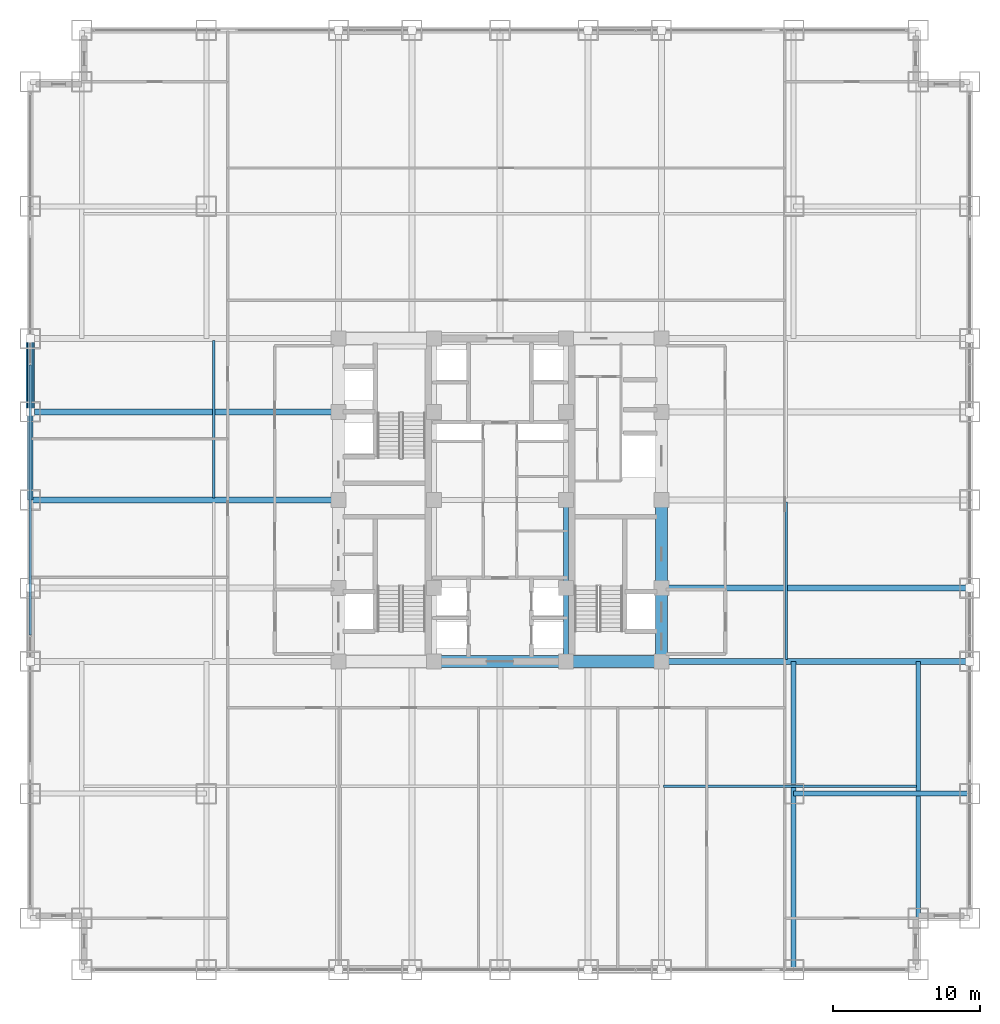
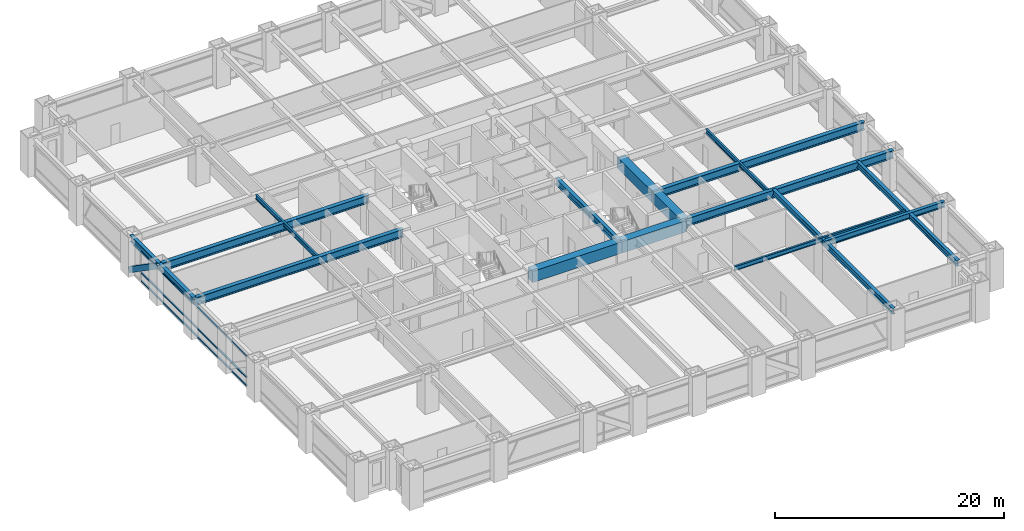
# One storey, part 11 of 27: 18 beams, 4 members, 1 element without a shape of its own.
"""IFC4 building model written with IfcOpenShell, lengths in metres."""

from ifc_helpers import new_model, si_unit, direction, frame, origin, origin_2d, place, context, subcontext, project, spatial, rectangle, hollow_rectangle, i_section, extrude, source, transform, mapped, material, material_profile, profile_set, type_object, element, aggregate, save


model = new_model("IFC4")

# Units and contexts
model_context = context("Model", 3, precision=1e-05, world=origin(), true_north=direction((0.0, 1.0)))
body_context = subcontext(model_context, "Body", "Model", "MODEL_VIEW")
ifc_project = project(units=[si_unit("LENGTHUNIT", "METRE"), si_unit("AREAUNIT", "SQUARE_METRE"), si_unit("VOLUMEUNIT", "CUBIC_METRE"), si_unit("PLANEANGLEUNIT", "RADIAN"), si_unit("MASSUNIT", "GRAM", prefix="KILO")], contexts=[model_context])

# Site, building, storey
site_placement = place(None, origin())
site = spatial("IfcSite", under=ifc_project, at=site_placement, CompositionType="ELEMENT")
building_placement = place(site_placement, origin())
building = spatial("IfcBuilding", under=site, at=building_placement, Name="Khorayat Bourse Tower", CompositionType="ELEMENT")
storey_placement = place(building_placement, frame((0.0, 0.0, 45.199951171875)))
storey = spatial("IfcBuildingStorey", under=building, at=storey_placement, Name="L09", CompositionType="ELEMENT", Elevation=45.199951171875)

# Beams
ifc_material_1 = material(Name="Concrete C72/90", Category="concrete")
ifc_material_profile_1 = material_profile(ifc_material_1, rectangle(XDim=0.800048828125, YDim=1.199951171875, at=origin_2d()), Name="RC 800x1200")
ifc_profile_set_1 = profile_set([ifc_material_profile_1], Name="Concrete C72/90")
beam_type_1 = type_object("IfcBeamType", Name="BM-COUP-1200", PredefinedType="BEAM", material=ifc_profile_set_1)
shared_shape_1 = source(origin(), body_context, "Body", "SweptSolid", [
    extrude(rectangle(XDim=0.800048828125, YDim=1.199951171875, at=origin_2d()), origin(), (0.0, 0.0, 1.0), 5.0),
])
beam_1_placement = place(storey_placement, frame((11.0, -11.0, 3.340087890625), z_axis=(0.0, 1.0, 0.0), x_axis=(-1.0, 0.0, 0.0)))
element("IfcBeam", 1, at=beam_1_placement, inside=storey, type_object=beam_type_1, Name="L09 BM-COUP-1200 BM-L09-CRX-13", PredefinedType="BEAM", context=body_context, shape_type="MappedRepresentation", body=[
    mapped(shared_shape_1, transform((0.0, 0.0, 0.0), scale=1.0)),
])
shared_shape_2 = source(origin(), body_context, "Body", "SweptSolid", [
    extrude(rectangle(XDim=0.800048828125, YDim=1.199951171875, at=origin_2d()), origin(), (0.0, 0.0, 1.0), 6.0),
])
beam_2_placement = place(storey_placement, frame((11.0, -6.0, 3.340087890625), z_axis=(0.0, 1.0, 0.0), x_axis=(-1.0, 0.0, 0.0)))
element("IfcBeam", 2, at=beam_2_placement, inside=storey, type_object=beam_type_1, Name="L09 BM-COUP-1200 BM-L09-CRX-14", PredefinedType="BEAM", context=body_context, shape_type="MappedRepresentation", body=[
    mapped(shared_shape_2, transform((0.0, 0.0, 0.0), scale=1.0)),
])
ifc_material_2 = material(Name="Steel ASTM A992 Grade 50", Category="steel")
ifc_material_profile_2 = material_profile(ifc_material_2, i_section(OverallWidth=0.35498046875, OverallDepth=0.695068359375, WebThickness=0.015380859375, FlangeThickness=0.02490234375, FilletRadius=0.01806640625, at=origin_2d()), Name="W690X217")
ifc_profile_set_2 = profile_set([ifc_material_profile_2], Name="Steel ASTM A992 Grade 50")
beam_type_2 = type_object("IfcBeamType", Name="BM-GIRD-690", PredefinedType="BEAM", material=ifc_profile_set_2)
shared_shape_3 = source(origin(), body_context, "Body", "SweptSolid", [
    extrude(i_section(OverallWidth=0.35498046875, OverallDepth=0.695068359375, WebThickness=0.015380859375, FlangeThickness=0.02490234375, FilletRadius=0.01806640625, at=origin_2d()), origin(), (0.0, 0.0, 1.0), 5.0),
])
beam_3_placement = place(storey_placement, frame((4.5, -11.0, 3.592529296875), z_axis=(0.0, 1.0, 0.0), x_axis=(-1.0, 0.0, 0.0)))
element("IfcBeam", 3, at=beam_3_placement, inside=storey, type_object=beam_type_2, Name="L09 BM-GIRD-690 BM-L09-CRX-09", PredefinedType="BEAM", context=body_context, shape_type="MappedRepresentation", body=[
    mapped(shared_shape_3, transform((0.0, 0.0, 0.0), scale=1.0)),
])
shared_shape_4 = source(origin(), body_context, "Body", "SweptSolid", [
    extrude(i_section(OverallWidth=0.35498046875, OverallDepth=0.695068359375, WebThickness=0.015380859375, FlangeThickness=0.02490234375, FilletRadius=0.01806640625, at=origin_2d()), origin(), (0.0, 0.0, 1.0), 6.0),
])
beam_4_placement = place(storey_placement, frame((4.5, -6.0, 3.592529296875), z_axis=(0.0, 1.0, 0.0), x_axis=(-1.0, 0.0, 0.0)))
element("IfcBeam", 4, at=beam_4_placement, inside=storey, type_object=beam_type_2, Name="L09 BM-GIRD-690 BM-L09-CRX-10", PredefinedType="BEAM", context=body_context, shape_type="MappedRepresentation", body=[
    mapped(shared_shape_4, transform((0.0, 0.0, 0.0), scale=1.0)),
])
shared_shape_5 = source(origin(), body_context, "Body", "SweptSolid", [
    extrude(rectangle(XDim=0.800048828125, YDim=1.199951171875, at=origin_2d()), origin(), (0.0, 0.0, 1.0), 6.5),
])
beam_5_placement = place(storey_placement, frame((4.5, -11.0, 3.340087890625), z_axis=(1.0, 0.0, 0.0), x_axis=(0.0, 1.0, 0.0)))
element("IfcBeam", 5, at=beam_5_placement, inside=storey, type_object=beam_type_1, Name="L09 BM-COUP-1200 BM-L09-CRY-19", PredefinedType="BEAM", context=body_context, shape_type="MappedRepresentation", body=[
    mapped(shared_shape_5, transform((0.0, 0.0, 0.0), scale=1.0)),
])
shared_shape_6 = source(origin(), body_context, "Body", "SweptSolid", [
    extrude(rectangle(XDim=0.800048828125, YDim=1.199951171875, at=origin_2d()), origin(), (0.0, 0.0, 1.0), 9.0),
])
beam_6_placement = place(storey_placement, frame((-4.5, -11.0, 3.340087890625), z_axis=(1.0, 0.0, 0.0), x_axis=(0.0, 1.0, 0.0)))
element("IfcBeam", 6, at=beam_6_placement, inside=storey, type_object=beam_type_1, Name="L09 BM-COUP-1200 BM-L09-CRY-18", PredefinedType="BEAM", context=body_context, shape_type="MappedRepresentation", body=[
    mapped(shared_shape_6, transform((0.0, 0.0, 0.0), scale=1.0)),
])
ifc_material_profile_3 = material_profile(ifc_material_2, i_section(OverallWidth=0.35498046875, OverallDepth=0.695068359375, WebThickness=0.015380859375, FlangeThickness=0.02490234375, FilletRadius=0.01806640625, at=origin_2d()), Name="W690X217")
ifc_profile_set_3 = profile_set([ifc_material_profile_3], Name="Steel ASTM A992 Grade 50")
beam_type_3 = type_object("IfcBeamType", Name="BM-SPAN-690", PredefinedType="SPANDREL", material=ifc_profile_set_3)
shared_shape_7 = source(origin(), body_context, "Body", "SweptSolid", [
    extrude(i_section(OverallWidth=0.35498046875, OverallDepth=0.695068359375, WebThickness=0.015380859375, FlangeThickness=0.02490234375, FilletRadius=0.01806640625, at=origin_2d()), origin(), (0.0, 0.0, 1.0), 5.0),
])
beam_7_placement = place(storey_placement, frame((-32.0, 6.0, 3.592529296875), z_axis=(0.0, 1.0, 0.0), x_axis=(-1.0, 0.0, 0.0)))
element("IfcBeam", 7, at=beam_7_placement, inside=storey, type_object=beam_type_3, Name="L09 BM-SPAN-690 BM-L09-SPN-056", PredefinedType="SPANDREL", context=body_context, shape_type="MappedRepresentation", body=[
    mapped(shared_shape_7, transform((0.0, 0.0, 0.0), scale=1.0)),
])
shared_shape_8 = source(origin(), body_context, "Body", "SweptSolid", [
    extrude(i_section(OverallWidth=0.35498046875, OverallDepth=0.695068359375, WebThickness=0.015380859375, FlangeThickness=0.02490234375, FilletRadius=0.01806640625, at=origin_2d()), origin(), (0.0, 0.0, 1.0), 6.0),
])
beam_8_placement = place(storey_placement, frame((-32.0, 0.0, 3.592529296875), z_axis=(0.0, 1.0, 0.0), x_axis=(-1.0, 0.0, 0.0)))
element("IfcBeam", 8, at=beam_8_placement, inside=storey, type_object=beam_type_3, Name="L09 BM-SPAN-690 BM-L09-SPN-057", PredefinedType="SPANDREL", context=body_context, shape_type="MappedRepresentation", body=[
    mapped(shared_shape_8, transform((0.0, 0.0, 0.0), scale=1.0)),
])
ifc_material_profile_4 = material_profile(ifc_material_2, i_section(OverallWidth=0.39990234375, OverallDepth=0.85498046875, WebThickness=0.018310546875, FlangeThickness=0.029296875, FilletRadius=0.02001953125, at=origin_2d()), Name="W840X299")
ifc_profile_set_4 = profile_set([ifc_material_profile_4], Name="Steel ASTM A992 Grade 50")
beam_type_4 = type_object("IfcBeamType", Name="BM-GIRD-840", PredefinedType="BEAM", material=ifc_profile_set_4)
shared_shape_9 = source(origin(), body_context, "Body", "SweptSolid", [
    extrude(i_section(OverallWidth=0.39990234375, OverallDepth=0.85498046875, WebThickness=0.018310546875, FlangeThickness=0.029296875, FilletRadius=0.02001953125, at=origin_2d()), origin(), (0.0, 0.0, 1.0), 21.0),
])
for number, where, z_axis, x_axis, name in (
    (9, (11.0, -11.0, 3.512451171875), (1.0, 0.0, 0.0), (0.0, 1.0, 0.0), "L09 BM-GIRD-840 BM-L09-RADX-074"),
    (10, (11.0, -6.0, 3.512451171875), (1.0, 0.0, 0.0), (0.0, 1.0, 0.0), "L09 BM-GIRD-840 BM-L09-RADX-076"),
    (11, (-32.0, 0.0, 3.512451171875), (1.0, 0.0, 0.0), (0.0, 1.0, 0.0), "L09 BM-GIRD-840 BM-L09-RADX-079"),
    (12, (-32.0, 6.0, 3.512451171875), (1.0, 0.0, 0.0), (0.0, 1.0, 0.0), "L09 BM-GIRD-840 BM-L09-RADX-081"),
):
    element("IfcBeam", number, at=place(storey_placement, frame(where, z_axis=z_axis, x_axis=x_axis)), inside=storey, type_object=beam_type_4, Name=name, PredefinedType="BEAM", context=body_context, shape_type="MappedRepresentation", body=[
        mapped(shared_shape_9, transform((0.0, 0.0, 0.0), scale=1.0)),
    ])
ifc_material_profile_5 = material_profile(ifc_material_2, i_section(OverallWidth=0.324951171875, OverallDepth=0.615966796875, WebThickness=0.013916015625, FlangeThickness=0.021484375, FilletRadius=0.01611328125, at=origin_2d()), Name="W610X174")
ifc_profile_set_5 = profile_set([ifc_material_profile_5], Name="Steel ASTM A992 Grade 50")
beam_type_5 = type_object("IfcBeamType", Name="BM-GIRD-610", PredefinedType="BEAM", material=ifc_profile_set_5)
shared_shape_10 = source(origin(), body_context, "Body", "SweptSolid", [
    extrude(i_section(OverallWidth=0.324951171875, OverallDepth=0.615966796875, WebThickness=0.013916015625, FlangeThickness=0.021484375, FilletRadius=0.01611328125, at=origin_2d()), origin(), (0.0, 0.0, 1.0), 21.0),
])
beam_9_placement = place(storey_placement, frame((20.0, -32.0, 3.632080078125), z_axis=(0.0, 1.0, 0.0), x_axis=(-1.0, 0.0, 0.0)))
element("IfcBeam", 13, at=beam_9_placement, inside=storey, type_object=beam_type_5, Name="L09 BM-GIRD-610 BM-L09-CNRY-086", PredefinedType="BEAM", context=body_context, shape_type="MappedRepresentation", body=[
    mapped(shared_shape_10, transform((0.0, 0.0, 0.0), scale=1.0)),
])
shared_shape_11 = source(origin(), body_context, "Body", "SweptSolid", [
    extrude(i_section(OverallWidth=0.324951171875, OverallDepth=0.615966796875, WebThickness=0.013916015625, FlangeThickness=0.021484375, FilletRadius=0.01611328125, at=origin_2d()), origin(), (0.0, 0.0, 1.0), 17.5),
])
beam_10_placement = place(storey_placement, frame((28.5, -28.5, 3.632080078125), z_axis=(0.0, 1.0, 0.0), x_axis=(-1.0, 0.0, 0.0)))
element("IfcBeam", 14, at=beam_10_placement, inside=storey, type_object=beam_type_5, Name="L09 BM-GIRD-610 BM-L09-CNRY-090", PredefinedType="BEAM", context=body_context, shape_type="MappedRepresentation", body=[
    mapped(shared_shape_11, transform((0.0, 0.0, 0.0), scale=1.0)),
])
shared_shape_12 = source(origin(), body_context, "Body", "SweptSolid", [
    extrude(i_section(OverallWidth=0.324951171875, OverallDepth=0.615966796875, WebThickness=0.013916015625, FlangeThickness=0.021484375, FilletRadius=0.01611328125, at=origin_2d()), origin(), (0.0, 0.0, 1.0), 12.0),
])
beam_11_placement = place(storey_placement, frame((20.0, -20.0, 3.632080078125), z_axis=(1.0, 0.0, 0.0), x_axis=(0.0, 1.0, 0.0)))
element("IfcBeam", 15, at=beam_11_placement, inside=storey, type_object=beam_type_5, Name="L09 BM-GIRD-610 BM-L09-CNRX-092", PredefinedType="BEAM", context=body_context, shape_type="MappedRepresentation", body=[
    mapped(shared_shape_12, transform((0.0, 0.0, 0.0), scale=1.0)),
])
ifc_material_profile_6 = material_profile(ifc_material_2, i_section(OverallWidth=0.194091796875, OverallDepth=0.468994140625, WebThickness=0.0126953125, FlangeThickness=0.0205078125, FilletRadius=0.012939453125, at=origin_2d()), Name="W460X106")
ifc_profile_set_6 = profile_set([ifc_material_profile_6], Name="Steel ASTM A992 Grade 50")
beam_type_6 = type_object("IfcBeamType", Name="BM-JOIST-460", PredefinedType="JOIST", material=ifc_profile_set_6)
shared_shape_13 = source(origin(), body_context, "Body", "SweptSolid", [
    extrude(i_section(OverallWidth=0.194091796875, OverallDepth=0.468994140625, WebThickness=0.0126953125, FlangeThickness=0.0205078125, FilletRadius=0.012939453125, at=origin_2d()), origin(), (0.0, 0.0, 1.0), 17.240234375),
])
beam_12_placement = place(storey_placement, frame((11.1298828125, -19.5, 3.70556640625), z_axis=(1.0, 0.0, 0.0), x_axis=(0.0, 1.0, 0.0)))
element("IfcBeam", 16, at=beam_12_placement, inside=storey, type_object=beam_type_6, Name="L09 BM-JOIST-460 BM-L09-JSTX-098", PredefinedType="JOIST", context=body_context, shape_type="MappedRepresentation", body=[
    mapped(shared_shape_13, transform((0.0, 0.0, 0.0), scale=1.0)),
])
shared_shape_14 = source(origin(), body_context, "Body", "SweptSolid", [
    extrude(i_section(OverallWidth=0.194091796875, OverallDepth=0.468994140625, WebThickness=0.0126953125, FlangeThickness=0.0205078125, FilletRadius=0.012939453125, at=origin_2d()), origin(), (0.0, 0.0, 1.0), 10.740234375),
])
for number, where, z_axis, x_axis, name in (
    (17, (-19.5, 0.1298828125, 3.70556640625), (0.0, 1.0, 0.0), (-1.0, 0.0, 0.0), "L09 BM-JOIST-460 BM-L09-JSTY-103"),
    (18, (19.5, -10.8701171875, 3.70556640625), (0.0, 1.0, 0.0), (-1.0, 0.0, 0.0), "L09 BM-JOIST-460 BM-L09-JSTY-104"),
):
    element("IfcBeam", number, at=place(storey_placement, frame(where, z_axis=z_axis, x_axis=x_axis)), inside=storey, type_object=beam_type_6, Name=name, PredefinedType="JOIST", context=body_context, shape_type="MappedRepresentation", body=[
        mapped(shared_shape_14, transform((0.0, 0.0, 0.0), scale=1.0)),
    ])

# Member
ifc_material_3 = material(Name="Steel EN 10025-4 S460M", Category="steel")
ifc_material_profile_7 = material_profile(ifc_material_3, hollow_rectangle(XDim=0.550048828125, YDim=0.550048828125, WallThickness=0.031982421875, at=origin_2d()), Name="HSS 550x550x32")
ifc_profile_set_7 = profile_set([ifc_material_profile_7], Name="Steel EN 10025-4 S460M")
member_type_1 = type_object("IfcMemberType", Name="MBR-TUBE-550", PredefinedType="BRACE", material=ifc_profile_set_7)
shared_shape_15 = source(origin(), body_context, "Body", "SweptSolid", [
    extrude(hollow_rectangle(XDim=0.550048828125, YDim=0.550048828125, WallThickness=0.031982421875, at=origin_2d()), origin(), (0.0, 0.0, 1.0), 6.069091796875),
])
member_1_placement = place(storey_placement, frame((-32.0, 6.0, 3.68994140625), z_axis=(0.0, 0.823854080622, -0.566801952928), x_axis=(-1.0, 0.0, 0.0)))
element("IfcMember", 19, at=member_1_placement, inside=storey, type_object=member_type_1, Name="L09 Perimeter Tube Brace 06", PredefinedType="BRACE", context=body_context, shape_type="MappedRepresentation", body=[
    mapped(shared_shape_15, transform((0.0, 0.0, 0.0), scale=1.0)),
])

# Curtain wall, members
ifc_material_4 = material(Name="Aluminium EN AW-6063 T6", Category="aluminium")
curtain_wall_type = type_object("IfcCurtainWallType", Name="CW-SYS-02", PredefinedType="NOTDEFINED", material=ifc_material_4)
curtain_wall_placement = place(storey_placement, origin())
curtain_wall = element("IfcCurtainWall", 20, at=curtain_wall_placement, inside=storey, type_object=curtain_wall_type, Name="L09 Curtain Wall CW-L09-W1", PredefinedType="NOTDEFINED")
ifc_material_profile_8 = material_profile(ifc_material_4, hollow_rectangle(XDim=0.139892578125, YDim=0.139892578125, WallThickness=0.006103515625, at=origin_2d()), Name="ALU 140x140x6")
ifc_profile_set_8 = profile_set([ifc_material_profile_8], Name="Aluminium EN AW-6063 T6")
member_type_2 = type_object("IfcMemberType", Name="CWT-HORZ-140", PredefinedType="USERDEFINED", material=ifc_profile_set_8)
shared_shape_16 = source(origin(), body_context, "Body", "SweptSolid", [
    extrude(hollow_rectangle(XDim=0.139892578125, YDim=0.139892578125, WallThickness=0.006103515625, at=origin_2d()), origin(), (0.0, 0.0, 1.0), 18.35986328125),
])
member_2_placement = place(storey_placement, frame((-32.0, -9.179931640625, 0.070068359375), z_axis=(0.0, 1.0, 0.0), x_axis=(-1.0, 0.0, 0.0)))
member_2 = element("IfcMember", 21, at=member_2_placement, type_object=member_type_2, Name="CW-L09-W1 Horizontal Transom 2-1", ObjectType="TRANSOM", PredefinedType="USERDEFINED", context=body_context, shape_type="MappedRepresentation", body=[
    mapped(shared_shape_16, transform((0.0, 0.0, 0.0), scale=1.0)),
])
member_3_placement = place(storey_placement, frame((-32.0, -9.179931640625, 0.949951171875), z_axis=(0.0, 1.0, 0.0), x_axis=(-1.0, 0.0, 0.0)))
member_3 = element("IfcMember", 22, at=member_3_placement, type_object=member_type_2, Name="CW-L09-W1 Horizontal Transom 2-2", ObjectType="TRANSOM", PredefinedType="USERDEFINED", context=body_context, shape_type="MappedRepresentation", body=[
    mapped(shared_shape_16, transform((0.0, 0.0, 0.0), scale=1.0)),
])
member_4_placement = place(storey_placement, frame((-32.0, -9.179931640625, 3.219970703125), z_axis=(0.0, 1.0, 0.0), x_axis=(-1.0, 0.0, 0.0)))
member_4 = element("IfcMember", 23, at=member_4_placement, type_object=member_type_2, Name="CW-L09-W1 Horizontal Transom 2-3", ObjectType="TRANSOM", PredefinedType="USERDEFINED", context=body_context, shape_type="MappedRepresentation", body=[
    mapped(shared_shape_16, transform((0.0, 0.0, 0.0), scale=1.0)),
])
aggregate(curtain_wall, [member_2, member_3, member_4])

save(model, "model.ifc")
